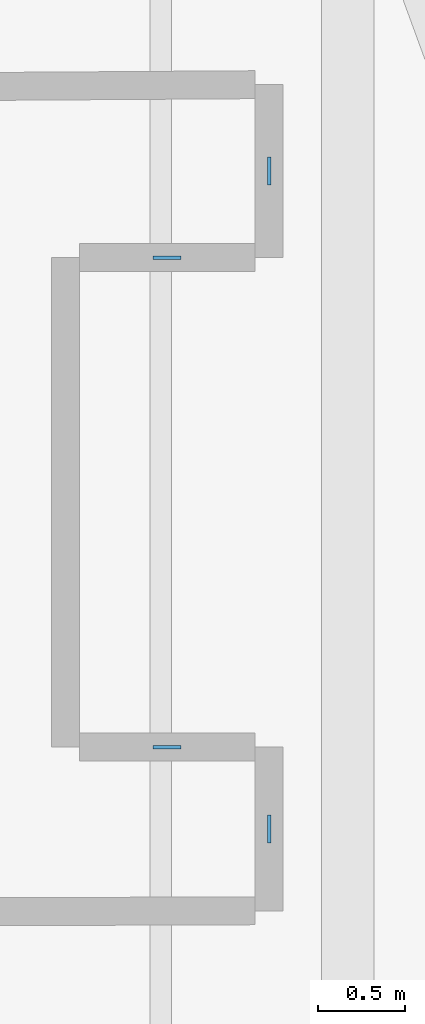
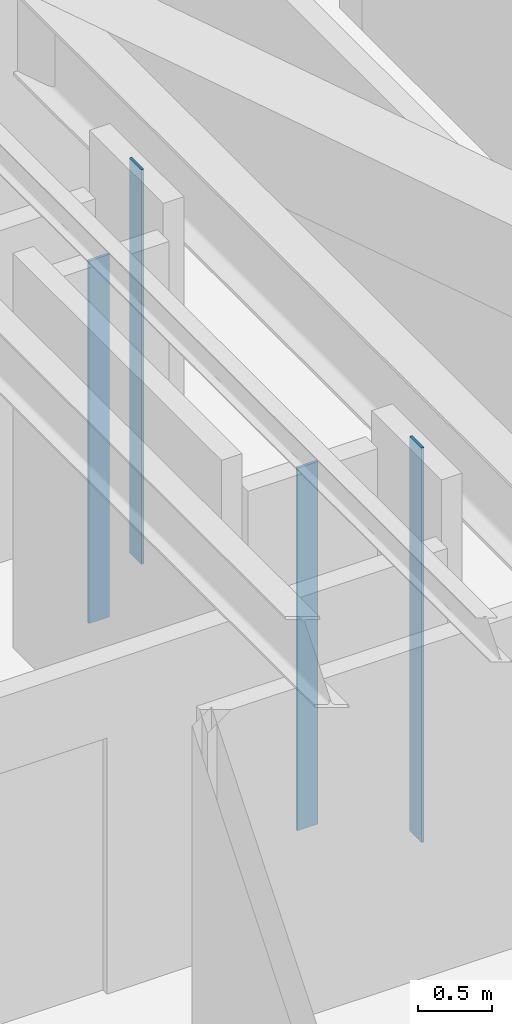
# One storey, part 4 of 14: 4 plates.
"""IFC4 building model written with IfcOpenShell, lengths in metres."""

from ifc_helpers import new_model, si_unit, direction, frame, origin, origin_2d, place, context, subcontext, project, spatial, rectangle, extrude, material, layer, layer_set, type_object, element, save


model = new_model("IFC4")

# Units and contexts
model_context = context("Model", 3, precision=1e-05, world=origin(), true_north=direction((0.0, 1.0)))
body_context = subcontext(model_context, "Body", "Model", "MODEL_VIEW")
ifc_project = project(units=[si_unit("LENGTHUNIT", "METRE"), si_unit("AREAUNIT", "SQUARE_METRE"), si_unit("VOLUMEUNIT", "CUBIC_METRE"), si_unit("PLANEANGLEUNIT", "RADIAN"), si_unit("MASSUNIT", "GRAM", prefix="KILO")], contexts=[model_context])

# Site, building, storey
site_placement = place(None, origin())
site = spatial("IfcSite", under=ifc_project, at=site_placement, CompositionType="ELEMENT")
building_placement = place(site_placement, origin())
building = spatial("IfcBuilding", under=site, at=building_placement, Name="Miruveldt Soraemaru", CompositionType="ELEMENT")
storey_placement = place(building_placement, frame((0.0, 0.0, 128.39990234375)))
storey = spatial("IfcBuildingStorey", under=building, at=storey_placement, Name="L35", CompositionType="ELEMENT", Elevation=128.39990234375)

# Plates
ifc_material = material(Name="Anodised aluminium EN AW-6063 T6", Category="aluminium")
ifc_layer = layer(ifc_material, 0.02001953125, Name="Anodised aluminium EN AW-6063 T6", Category="aluminium")
ifc_layer_set = layer_set([ifc_layer], Name="Anodised aluminium EN AW-6063 T6")
plate_type = type_object("IfcPlateType", Name="PLT-PART-TRIM", PredefinedType="SHEET", material=ifc_layer_set)
for number, where, z_axis, x_axis, name in (
    (1, (30.367431640625, 47.330078125, 0.0), (0.0, 0.0, 1.0), (-1.0, 0.0, 0.0), "L35 Partition Step Corner Trim Plate 044"),
    (2, (30.367431640625, 44.530029296875, 0.0), (0.0, 0.0, 1.0), (1.0, 0.0, 0.0), "L35 Partition Step Corner Trim Plate 046"),
):
    element("IfcPlate", number, at=place(storey_placement, frame(where, z_axis=z_axis, x_axis=x_axis)), inside=storey, type_object=plate_type, Name=name, PredefinedType="SHEET", context=body_context, shape_type="SweptSolid", body=[
        extrude(rectangle(XDim=0.159912109375, YDim=0.02001953125, at=origin_2d()), origin(), (0.0, 0.0, 1.0), 2.972900390625),
    ])
for number, where, z_axis, x_axis, name in (
    (3, (30.949951171875, 47.825439453125, 0.0), (0.0, 0.0, 1.0), (0.0, -1.0, 0.0), "L35 Partition Step Corner Trim Plate 043"),
    (4, (30.949951171875, 44.0615234375, 0.0), (0.0, 0.0, 1.0), (0.0, -1.0, 0.0), "L35 Partition Step Corner Trim Plate 047"),
):
    element("IfcPlate", number, at=place(storey_placement, frame(where, z_axis=z_axis, x_axis=x_axis)), inside=storey, type_object=plate_type, Name=name, PredefinedType="SHEET", context=body_context, shape_type="SweptSolid", body=[
        extrude(rectangle(XDim=0.159912109375, YDim=0.02001953125, at=origin_2d()), origin(), (0.0, 0.0, 1.0), 3.235107421875),
    ])

save(model, "model.ifc")
